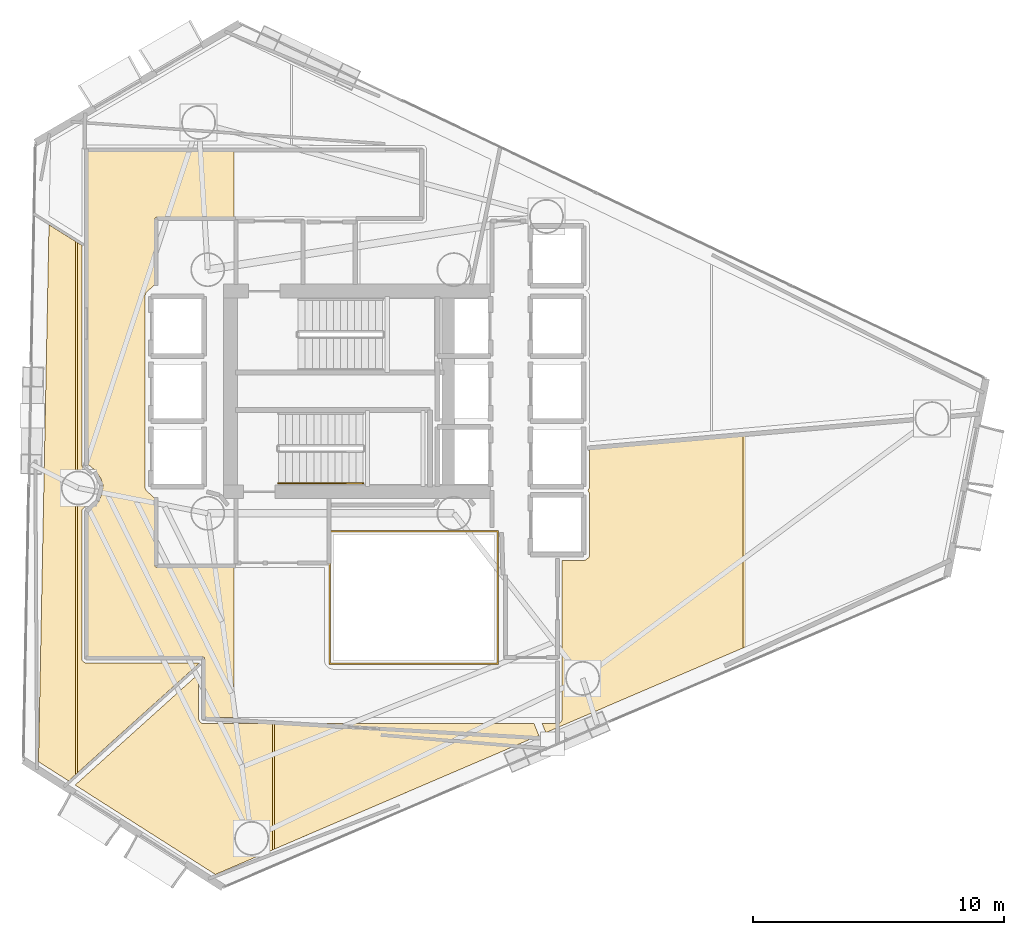
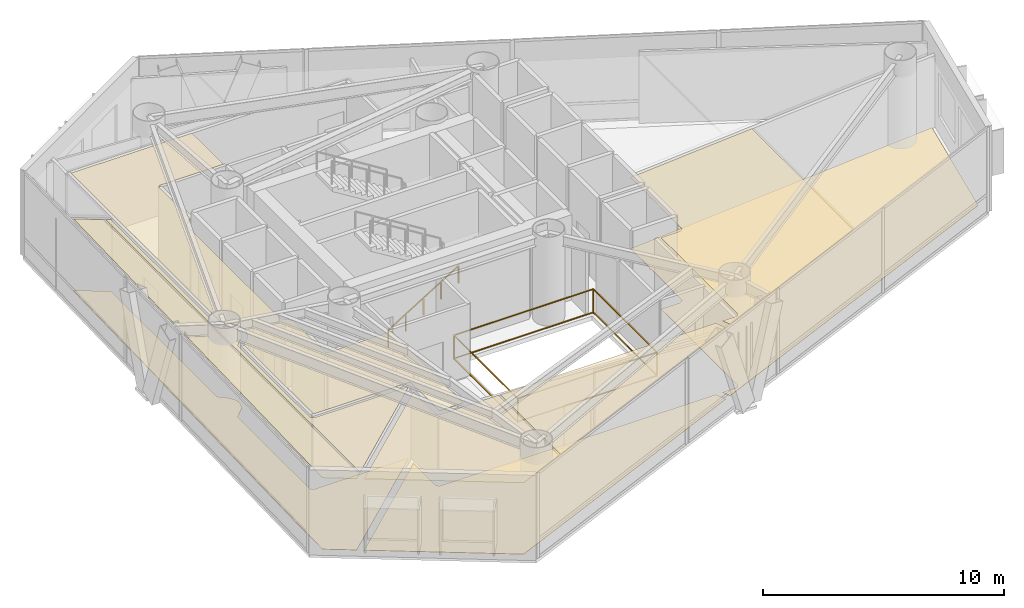
# One storey, part 19 of 21: 9 coverings, 2 railings.
"""IFC4 building model written with IfcOpenShell, lengths in metres."""

from ifc_helpers import new_model, si_unit, direction, frame, origin, origin_2d, place, context, subcontext, project, spatial, polyline, rectangle, outline, extrude, material, layer, layer_set, type_object, element, save


model = new_model("IFC4")

# Units and contexts
model_context = context("Model", 3, precision=1e-05, world=origin(), true_north=direction((0.0, 1.0)))
body_context = subcontext(model_context, "Body", "Model", "MODEL_VIEW")
ifc_project = project(units=[si_unit("LENGTHUNIT", "METRE"), si_unit("AREAUNIT", "SQUARE_METRE"), si_unit("VOLUMEUNIT", "CUBIC_METRE"), si_unit("PLANEANGLEUNIT", "RADIAN"), si_unit("MASSUNIT", "GRAM", prefix="KILO")], contexts=[model_context])

# Site, building, storey
site_placement = place(None, origin())
site = spatial("IfcSite", under=ifc_project, at=site_placement, CompositionType="ELEMENT")
building_placement = place(site_placement, origin())
building = spatial("IfcBuilding", under=site, at=building_placement, Name="Qianvela Tower", CompositionType="ELEMENT")
storey_placement = place(building_placement, frame((0.0, 0.0, 143.10009765625)))
storey = spatial("IfcBuildingStorey", under=building, at=storey_placement, Name="L36", CompositionType="ELEMENT", Elevation=143.10009765625)

# Coverings
ifc_material_1 = material(Name="Perforated Mineral Acoustic Ceiling Tile")
ifc_layer_1 = layer(ifc_material_1, 0.02490234375)
ifc_layer_set_1 = layer_set([ifc_layer_1], Name="Perforated Mineral Acoustic Ceiling Tile")
covering_type_1 = type_object("IfcCoveringType", Name="COV-CEIL-ACOUSTIC-25", PredefinedType="CEILING", material=ifc_layer_set_1)
covering_1_placement = place(storey_placement, frame((0.0, 0.0, 3.614990234375)))
element("IfcCovering", 1, at=covering_1_placement, inside=storey, type_object=covering_type_1, Name="L36 Acoustic Ceiling Bay 1 L36 Sky Lobby Gallery Corridor", PredefinedType="CEILING", context=body_context, shape_type="SweptSolid", body=[
    extrude(outline(polyline([(24.140625, 25.54248046875), (24.135498046875, 25.54833984375), (24.129638671875, 25.5537109375), (23.830078125, 25.799560546875), (23.830078125, 38.27001953125), (29.63818359375, 38.27001953125), (29.63818359375, 35.651611328125), (26.57958984375, 35.639892578125), (26.572021484375, 35.6396484375), (26.564208984375, 35.638427734375), (26.556396484375, 35.636474609375), (26.54931640625, 35.6337890625), (26.5419921875, 35.630615234375), (26.535400390625, 35.62646484375), (26.529052734375, 35.62158203125), (26.523193359375, 35.616455078125), (26.51806640625, 35.610595703125), (26.513427734375, 35.6044921875), (26.509521484375, 35.59765625), (26.506103515625, 35.590576171875), (26.50341796875, 35.583251953125), (26.50146484375, 35.57568359375), (26.50048828125, 35.56787109375), (26.5, 35.56005859375), (26.5, 32.959716796875), (26.167236328125, 32.658203125), (26.1611328125, 32.652099609375), (26.155517578125, 32.64501953125), (26.15087890625, 32.6376953125), (26.147216796875, 32.629638671875), (26.106201171875, 32.530517578125), (26.103515625, 32.523193359375), (26.1015625, 32.515625), (26.100341796875, 32.5078125), (26.10009765625, 32.5), (26.10009765625, 24.876220703125), (26.100341796875, 24.8681640625), (26.1015625, 24.8603515625), (26.103515625, 24.8525390625), (26.106201171875, 24.84521484375), (26.10986328125, 24.837890625), (26.15087890625, 24.7626953125), (26.155517578125, 24.755126953125), (26.160888671875, 24.748046875), (26.167236328125, 24.74169921875), (26.5, 24.440185546875), (26.5, 21.780029296875), (26.50048828125, 21.772216796875), (26.50146484375, 21.764404296875), (26.50341796875, 21.7568359375), (26.506103515625, 21.74951171875), (26.509521484375, 21.7421875), (26.513427734375, 21.735595703125), (26.518310546875, 21.729248046875), (26.5234375, 21.723388671875), (26.529296875, 21.71826171875), (26.53564453125, 21.71337890625), (26.542236328125, 21.70947265625), (26.54931640625, 21.7060546875), (26.556884765625, 21.703369140625), (26.564453125, 21.701416015625), (26.572265625, 21.700439453125), (26.580078125, 21.699951171875), (29.63818359375, 21.699951171875), (29.63818359375, 15.72998046875), (28.47998046875, 15.72998046875), (28.47998046875, 18.050048828125), (28.4794921875, 18.057861328125), (28.478515625, 18.065673828125), (28.4765625, 18.0732421875), (28.473876953125, 18.08056640625), (28.470703125, 18.087646484375), (28.466552734375, 18.094482421875), (28.4619140625, 18.100830078125), (28.45654296875, 18.106689453125), (28.45068359375, 18.11181640625), (28.4443359375, 18.116455078125), (28.437744140625, 18.12060546875), (28.4306640625, 18.123779296875), (28.423095703125, 18.126708984375), (28.41552734375, 18.12841796875), (28.40771484375, 18.129638671875), (28.39990234375, 18.1298828125), (23.830078125, 18.1298828125), (23.830078125, 23.921142578125), (24.244384765625, 24.302978515625), (24.25048828125, 24.30908203125), (24.255859375, 24.31591796875), (24.26025390625, 24.3232421875), (24.26416015625, 24.3310546875), (24.397705078125, 24.65380859375), (24.400390625, 24.6611328125), (24.40234375, 24.668701171875), (24.4033203125, 24.676513671875), (24.429443359375, 24.940185546875), (24.4296875, 24.947998046875), (24.429443359375, 24.955810546875), (24.42822265625, 24.963623046875), (24.42626953125, 24.97119140625), (24.349365234375, 25.224609375), (24.3466796875, 25.232177734375), (24.343505859375, 25.2392578125), (24.33935546875, 25.245849609375), (24.1455078125, 25.536376953125), (24.140625, 25.54248046875)])), origin(), (0.0, 0.0, 1.0), 0.02490234375),
])
covering_2_placement = place(storey_placement, frame((0.0, 0.0, 3.614990234375)))
element("IfcCovering", 2, at=covering_2_placement, inside=storey, type_object=covering_type_1, Name="L36 Acoustic Ceiling Bay 1 L36 Panoramic Sky Lounge", PredefinedType="CEILING", context=body_context, shape_type="SweptSolid", body=[
    extrude(outline(polyline([(23.058349609375, 13.198486328125), (21.861328125, 13.961181640625), (22.279296875, 35.333984375), (23.328125, 34.6787109375), (23.328125, 13.44140625), (23.058349609375, 13.198486328125)])), origin(), (0.0, 0.0, 1.0), 0.02490234375),
])
covering_3_placement = place(storey_placement, frame((0.0, 0.0, 3.614990234375)))
element("IfcCovering", 3, at=covering_3_placement, inside=storey, type_object=covering_type_1, Name="L36 Acoustic Ceiling Bay 2 L36 Panoramic Sky Lounge", PredefinedType="CEILING", context=body_context, shape_type="SweptSolid", body=[
    extrude(outline(polyline([(23.59033203125, 25.75390625), (23.5908203125, 25.7451171875), (23.59228515625, 25.736328125), (23.5947265625, 25.727783203125), (23.59814453125, 25.7197265625), (23.62109375, 25.6708984375), (23.625244140625, 25.6630859375), (23.63037109375, 25.656005859375), (23.635986328125, 25.6494140625), (23.642578125, 25.643310546875), (23.958984375, 25.38330078125), (24.126708984375, 25.13232421875), (24.1875, 24.931884765625), (24.1669921875, 24.7236328125), (24.055419921875, 24.454345703125), (23.614501953125, 24.021484375), (23.60888671875, 24.015869140625), (23.604248046875, 24.009521484375), (23.60009765625, 24.002685546875), (23.5966796875, 23.995361328125), (23.593994140625, 23.988037109375), (23.592041015625, 23.980224609375), (23.5908203125, 23.972412109375), (23.59033203125, 23.964599609375), (23.593505859375, 18.026611328125), (23.593994140625, 18.0185546875), (23.59521484375, 18.01025390625), (23.597412109375, 18.002197265625), (23.60009765625, 17.994384765625), (23.60400390625, 17.987060546875), (23.6083984375, 17.980224609375), (23.613525390625, 17.9736328125), (23.619384765625, 17.9677734375), (23.625732421875, 17.96240234375), (23.702392578125, 17.90576171875), (23.70849609375, 17.901611328125), (23.71484375, 17.898193359375), (23.721435546875, 17.895263671875), (23.728515625, 17.89306640625), (23.735595703125, 17.891357421875), (23.74267578125, 17.890380859375), (23.75, 17.889892578125), (28.239990234375, 17.889892578125), (28.239990234375, 17.864013671875), (23.408203125, 13.513427734375), (23.408203125, 34.628662109375), (23.590087890625, 34.51513671875), (23.59033203125, 25.75390625)])), origin(), (0.0, 0.0, 1.0), 0.02490234375),
])
covering_4_placement = place(storey_placement, frame((0.0, 0.0, 3.614990234375)))
element("IfcCovering", 4, at=covering_4_placement, inside=storey, type_object=covering_type_1, Name="L36 Acoustic Ceiling Bay 1 L36 Graduate Study Lounge", PredefinedType="CEILING", context=body_context, shape_type="SweptSolid", body=[
    extrude(outline(polyline([(28.240478515625, 15.64208984375), (28.241455078125, 15.634521484375), (28.243408203125, 15.626708984375), (28.24609375, 15.619384765625), (28.24951171875, 15.6123046875), (28.25341796875, 15.605712890625), (28.25830078125, 15.59912109375), (28.322509765625, 15.520751953125), (28.327880859375, 15.514892578125), (28.33349609375, 15.509765625), (28.33984375, 15.5048828125), (28.3466796875, 15.5009765625), (28.353759765625, 15.49755859375), (28.361083984375, 15.4951171875), (28.368896484375, 15.4931640625), (28.37646484375, 15.491943359375), (28.384521484375, 15.491455078125), (31.1748046875, 15.4912109375), (31.1748046875, 10.44775390625), (28.90478515625, 9.47314453125), (23.32080078125, 13.03125), (28.239990234375, 17.46044921875), (28.239990234375, 15.64990234375), (28.240478515625, 15.64208984375)])), origin(), (0.0, 0.0, 1.0), 0.02490234375),
])
covering_5_placement = place(storey_placement, frame((0.0, 0.0, 3.614990234375)))
element("IfcCovering", 5, at=covering_5_placement, inside=storey, type_object=covering_type_1, Name="L36 Acoustic Ceiling Bay 2 L36 Graduate Study Lounge", PredefinedType="CEILING", context=body_context, shape_type="SweptSolid", body=[
    extrude(outline(polyline([(41.58447265625, 15.489990234375), (41.781982421875, 15.001220703125), (31.2548828125, 10.482177734375), (31.2548828125, 15.4912109375), (41.58447265625, 15.489990234375)])), origin(), (0.0, 0.0, 1.0), 0.02490234375),
])
covering_6_placement = place(storey_placement, frame((0.0, 0.0, 3.614990234375)))
element("IfcCovering", 6, at=covering_6_placement, inside=storey, type_object=covering_type_1, Name="L36 Acoustic Ceiling Bay 1 L36 Shared Sky Kitchen and Cafe", PredefinedType="CEILING", context=body_context, shape_type="SweptSolid", body=[
    extrude(outline(polyline([(42.557861328125, 15.490478515625), (42.565673828125, 15.49072265625), (42.573486328125, 15.491943359375), (42.5810546875, 15.493896484375), (42.58837890625, 15.49658203125), (42.595703125, 15.499755859375), (42.602294921875, 15.50390625), (42.608642578125, 15.508544921875), (42.614501953125, 15.513916015625), (42.686279296875, 15.585693359375), (42.69140625, 15.59130859375), (42.696044921875, 15.59765625), (42.7001953125, 15.6044921875), (42.70361328125, 15.611572265625), (42.706298828125, 15.618896484375), (42.7080078125, 15.626708984375), (42.709228515625, 15.63427734375), (42.709716796875, 15.64208984375), (42.709228515625, 21.97998046875), (43.59375, 21.980712890625), (43.602294921875, 21.981201171875), (43.610595703125, 21.982421875), (43.618896484375, 21.984619140625), (43.626708984375, 21.98779296875), (43.63427734375, 21.99169921875), (43.641357421875, 21.996337890625), (43.757080078125, 22.082275390625), (43.763427734375, 22.08740234375), (43.769287109375, 22.09326171875), (43.7744140625, 22.099609375), (43.77880859375, 22.106689453125), (43.782470703125, 22.114013671875), (43.785400390625, 22.12158203125), (43.78759765625, 22.129638671875), (43.788818359375, 22.137939453125), (43.789306640625, 22.14599609375), (43.79931640625, 24.61328125), (43.799072265625, 24.62060546875), (43.798095703125, 24.627685546875), (43.796630859375, 24.634521484375), (43.79443359375, 24.641357421875), (43.79150390625, 24.64794921875), (43.751220703125, 24.733154296875), (43.74755859375, 24.739990234375), (43.743408203125, 24.74658203125), (43.73828125, 24.75244140625), (43.7412109375, 24.757568359375), (43.792236328125, 24.86572265625), (43.795166015625, 24.872314453125), (43.797119140625, 24.87890625), (43.798828125, 24.885986328125), (43.7998046875, 24.892822265625), (43.800048828125, 24.89990234375), (43.800048828125, 26.400634765625), (49.91650390625, 26.935791015625), (49.91650390625, 18.4931640625), (42.057861328125, 15.11962890625), (41.908203125, 15.489990234375), (42.557861328125, 15.490478515625)])), origin(), (0.0, 0.0, 1.0), 0.02490234375),
])
ifc_material_2 = material(Name="Engineered Acoustic Oak Timber Flooring", Category="wood")
ifc_layer_2 = layer(ifc_material_2, 0.02001953125)
ifc_layer_set_2 = layer_set([ifc_layer_2], Name="Engineered Acoustic Oak Timber Flooring")
covering_type_2 = type_object("IfcCoveringType", Name="COV-FLOOR-OAK-20", PredefinedType="FLOORING", material=ifc_layer_set_2)
covering_7_placement = place(storey_placement, origin())
element("IfcCovering", 7, at=covering_7_placement, inside=storey, type_object=covering_type_2, Name="L36 Finish Flooring L36 Panoramic Sky Lounge", PredefinedType="FLOORING", context=body_context, shape_type="SweptSolid", body=[
    extrude(outline(polyline([(23.590087890625, 34.51513671875), (23.59033203125, 25.75390625), (23.5908203125, 25.7451171875), (23.59228515625, 25.736328125), (23.5947265625, 25.727783203125), (23.59814453125, 25.7197265625), (23.62109375, 25.6708984375), (23.625244140625, 25.6630859375), (23.63037109375, 25.656005859375), (23.635986328125, 25.6494140625), (23.642578125, 25.643310546875), (23.958984375, 25.38330078125), (24.126708984375, 25.13232421875), (24.1875, 24.931884765625), (24.1669921875, 24.7236328125), (24.055419921875, 24.454345703125), (23.614501953125, 24.021484375), (23.60888671875, 24.015869140625), (23.604248046875, 24.009521484375), (23.60009765625, 24.002685546875), (23.5966796875, 23.995361328125), (23.593994140625, 23.988037109375), (23.592041015625, 23.980224609375), (23.5908203125, 23.972412109375), (23.59033203125, 23.964599609375), (23.593505859375, 18.026611328125), (23.593994140625, 18.0185546875), (23.59521484375, 18.01025390625), (23.597412109375, 18.002197265625), (23.60009765625, 17.994384765625), (23.60400390625, 17.987060546875), (23.6083984375, 17.980224609375), (23.613525390625, 17.9736328125), (23.619384765625, 17.9677734375), (23.625732421875, 17.96240234375), (23.702392578125, 17.90576171875), (23.70849609375, 17.901611328125), (23.71484375, 17.898193359375), (23.721435546875, 17.895263671875), (23.728515625, 17.89306640625), (23.735595703125, 17.891357421875), (23.74267578125, 17.890380859375), (23.75, 17.889892578125), (28.239990234375, 17.889892578125), (28.239990234375, 17.864013671875), (23.058349609375, 13.198486328125), (21.861328125, 13.961181640625), (22.279296875, 35.333984375), (23.590087890625, 34.51513671875)])), origin(), (0.0, 0.0, 1.0), 0.02001953125),
])
covering_8_placement = place(storey_placement, origin())
element("IfcCovering", 8, at=covering_8_placement, inside=storey, type_object=covering_type_2, Name="L36 Finish Flooring L36 Graduate Study Lounge", PredefinedType="FLOORING", context=body_context, shape_type="SweptSolid", body=[
    extrude(outline(polyline([(28.239990234375, 15.64990234375), (28.240478515625, 15.64208984375), (28.241455078125, 15.634521484375), (28.243408203125, 15.626708984375), (28.24609375, 15.619384765625), (28.24951171875, 15.6123046875), (28.25341796875, 15.605712890625), (28.25830078125, 15.59912109375), (28.322509765625, 15.520751953125), (28.327880859375, 15.514892578125), (28.33349609375, 15.509765625), (28.33984375, 15.5048828125), (28.3466796875, 15.5009765625), (28.353759765625, 15.49755859375), (28.361083984375, 15.4951171875), (28.368896484375, 15.4931640625), (28.37646484375, 15.491943359375), (28.384521484375, 15.491455078125), (41.58447265625, 15.489990234375), (41.781982421875, 15.001220703125), (28.90478515625, 9.47314453125), (23.32080078125, 13.03125), (28.239990234375, 17.46044921875), (28.239990234375, 15.64990234375)])), origin(), (0.0, 0.0, 1.0), 0.02001953125),
])
covering_9_placement = place(storey_placement, origin())
element("IfcCovering", 9, at=covering_9_placement, inside=storey, type_object=covering_type_2, Name="L36 Finish Flooring L36 Shared Sky Kitchen and Cafe", PredefinedType="FLOORING", context=body_context, shape_type="SweptSolid", body=[
    extrude(outline(polyline([(41.908203125, 15.489990234375), (42.557861328125, 15.490478515625), (42.565673828125, 15.49072265625), (42.573486328125, 15.491943359375), (42.5810546875, 15.493896484375), (42.58837890625, 15.49658203125), (42.595703125, 15.499755859375), (42.602294921875, 15.50390625), (42.608642578125, 15.508544921875), (42.614501953125, 15.513916015625), (42.686279296875, 15.585693359375), (42.69140625, 15.59130859375), (42.696044921875, 15.59765625), (42.7001953125, 15.6044921875), (42.70361328125, 15.611572265625), (42.706298828125, 15.618896484375), (42.7080078125, 15.626708984375), (42.709228515625, 15.63427734375), (42.709716796875, 15.64208984375), (42.709228515625, 21.97998046875), (43.59375, 21.980712890625), (43.602294921875, 21.981201171875), (43.610595703125, 21.982421875), (43.618896484375, 21.984619140625), (43.626708984375, 21.98779296875), (43.63427734375, 21.99169921875), (43.641357421875, 21.996337890625), (43.757080078125, 22.082275390625), (43.763427734375, 22.08740234375), (43.769287109375, 22.09326171875), (43.7744140625, 22.099609375), (43.77880859375, 22.106689453125), (43.782470703125, 22.114013671875), (43.785400390625, 22.12158203125), (43.78759765625, 22.129638671875), (43.788818359375, 22.137939453125), (43.789306640625, 22.14599609375), (43.79931640625, 24.61328125), (43.799072265625, 24.62060546875), (43.798095703125, 24.627685546875), (43.796630859375, 24.634521484375), (43.79443359375, 24.641357421875), (43.79150390625, 24.64794921875), (43.751220703125, 24.733154296875), (43.74755859375, 24.739990234375), (43.743408203125, 24.74658203125), (43.73828125, 24.75244140625), (43.7412109375, 24.757568359375), (43.792236328125, 24.86572265625), (43.795166015625, 24.872314453125), (43.797119140625, 24.87890625), (43.798828125, 24.885986328125), (43.7998046875, 24.892822265625), (43.800048828125, 24.89990234375), (43.800048828125, 26.400634765625), (59.010986328125, 27.7314453125), (57.86328125, 21.904541015625), (42.057861328125, 15.11962890625), (41.908203125, 15.489990234375)])), origin(), (0.0, 0.0, 1.0), 0.02001953125),
])

# Railings
ifc_material_3 = material(Name="Laminated Safety Glass and Stainless Steel 316", Category="steel")
railing_type_1 = type_object("IfcRailingType", Name="RL-ATRIUM-GUARD-1250", PredefinedType="GUARDRAIL", material=ifc_material_3)
railing_1_placement = place(storey_placement, frame((33.4599609375, 17.860107421875, 0.0)))
element("IfcRailing", 10, at=railing_1_placement, inside=storey, type_object=railing_type_1, Name="L36 Atrium Edge Guardrail 1", PredefinedType="GUARDRAIL", context=body_context, shape_type="SweptSolid", body=[
    extrude(rectangle(XDim=0.050048828125, YDim=0.0400390625, at=origin_2d()), frame((0.0, 0.0, 1.22998046875), z_axis=(0.0, 1.0, 0.0), x_axis=(-1.0, 0.0, 0.0)), (0.0, 0.0, 1.0), 5.27978515625),
    extrude(rectangle(XDim=0.050048828125, YDim=0.0400390625, at=origin_2d()), frame((0.0, 0.0, 0.050048828125), z_axis=(0.0, 1.0, 0.0), x_axis=(-1.0, 0.0, 0.0)), (0.0, 0.0, 1.0), 5.27978515625),
    extrude(rectangle(XDim=0.050048828125, YDim=0.0400390625, at=origin_2d()), frame((0.0, 5.27978515625, 1.22998046875), z_axis=(1.0, 0.0, 0.0), x_axis=(0.0, 1.0, 0.0)), (0.0, 0.0, 1.0), 6.679931640625),
    extrude(rectangle(XDim=0.050048828125, YDim=0.0400390625, at=origin_2d()), frame((0.0, 5.27978515625, 0.050048828125), z_axis=(1.0, 0.0, 0.0), x_axis=(0.0, 1.0, 0.0)), (0.0, 0.0, 1.0), 6.679931640625),
    extrude(rectangle(XDim=0.050048828125, YDim=0.0400390625, at=origin_2d()), frame((6.679931640625, 5.27978515625, 1.22998046875), z_axis=(0.0, -1.0, 0.0), x_axis=(1.0, 0.0, 0.0)), (0.0, 0.0, 1.0), 5.27978515625),
    extrude(rectangle(XDim=0.050048828125, YDim=0.0400390625, at=origin_2d()), frame((6.679931640625, 5.27978515625, 0.050048828125), z_axis=(0.0, -1.0, 0.0), x_axis=(1.0, 0.0, 0.0)), (0.0, 0.0, 1.0), 5.27978515625),
    extrude(rectangle(XDim=0.050048828125, YDim=0.0400390625, at=origin_2d()), frame((6.679931640625, 0.0, 1.22998046875), z_axis=(-1.0, 0.0, 0.0), x_axis=(0.0, -1.0, 0.0)), (0.0, 0.0, 1.0), 6.679931640625),
    extrude(rectangle(XDim=0.050048828125, YDim=0.0400390625, at=origin_2d()), frame((6.679931640625, 0.0, 0.050048828125), z_axis=(-1.0, 0.0, 0.0), x_axis=(0.0, -1.0, 0.0)), (0.0, 0.0, 1.0), 6.679931640625),
    extrude(rectangle(XDim=0.050048828125, YDim=0.050048828125, at=origin_2d()), origin(), (0.0, 0.0, 1.0), 1.2099609375),
    extrude(rectangle(XDim=0.050048828125, YDim=0.050048828125, at=origin_2d()), frame((0.0, 5.27978515625, 0.0)), (0.0, 0.0, 1.0), 1.2099609375),
    extrude(rectangle(XDim=0.050048828125, YDim=0.050048828125, at=origin_2d()), frame((6.679931640625, 5.27978515625, 0.0)), (0.0, 0.0, 1.0), 1.2099609375),
    extrude(rectangle(XDim=0.050048828125, YDim=0.050048828125, at=origin_2d()), frame((6.679931640625, 0.0, 0.0)), (0.0, 0.0, 1.0), 1.2099609375),
])
ifc_material_4 = material(Name="Brushed Stainless Steel 304", Category="steel")
railing_type_2 = type_object("IfcRailingType", Name="RL-STAIR-HANDRAIL-900", PredefinedType="HANDRAIL", material=ifc_material_4)
railing_2_placement = place(storey_placement, frame((31.419921875, 25.050048828125, 0.173095703125)))
element("IfcRailing", 11, at=railing_2_placement, inside=storey, type_object=railing_type_2, Name="L36 ST-2 stair handrail 1", PredefinedType="HANDRAIL", context=body_context, shape_type="SweptSolid", body=[
    extrude(rectangle(XDim=0.050048828125, YDim=0.0400390625, at=origin_2d()), frame((0.0, 0.0, 0.8798828125), z_axis=(0.850623216509, 0.0, 0.525775754039), x_axis=(0.0, 1.0, 0.0)), (0.0, 0.0, 1.0), 3.9501953125),
    extrude(rectangle(XDim=0.050048828125, YDim=0.050048828125, at=origin_2d()), origin(), (0.0, 0.0, 1.0), 0.85986328125),
    extrude(rectangle(XDim=0.050048828125, YDim=0.050048828125, at=origin_2d()), frame((0.840087890625, 0.0, 0.519287109375)), (0.0, 0.0, 1.0), 0.85986328125),
    extrude(rectangle(XDim=0.050048828125, YDim=0.050048828125, at=origin_2d()), frame((1.68017578125, 0.0, 1.03857421875)), (0.0, 0.0, 1.0), 0.85986328125),
    extrude(rectangle(XDim=0.050048828125, YDim=0.050048828125, at=origin_2d()), frame((2.52001953125, 0.0, 1.5576171875)), (0.0, 0.0, 1.0), 0.85986328125),
    extrude(rectangle(XDim=0.050048828125, YDim=0.050048828125, at=origin_2d()), frame((3.360107421875, 0.0, 2.076904296875)), (0.0, 0.0, 1.0), 0.85986328125),
])

save(model, "model.ifc")
